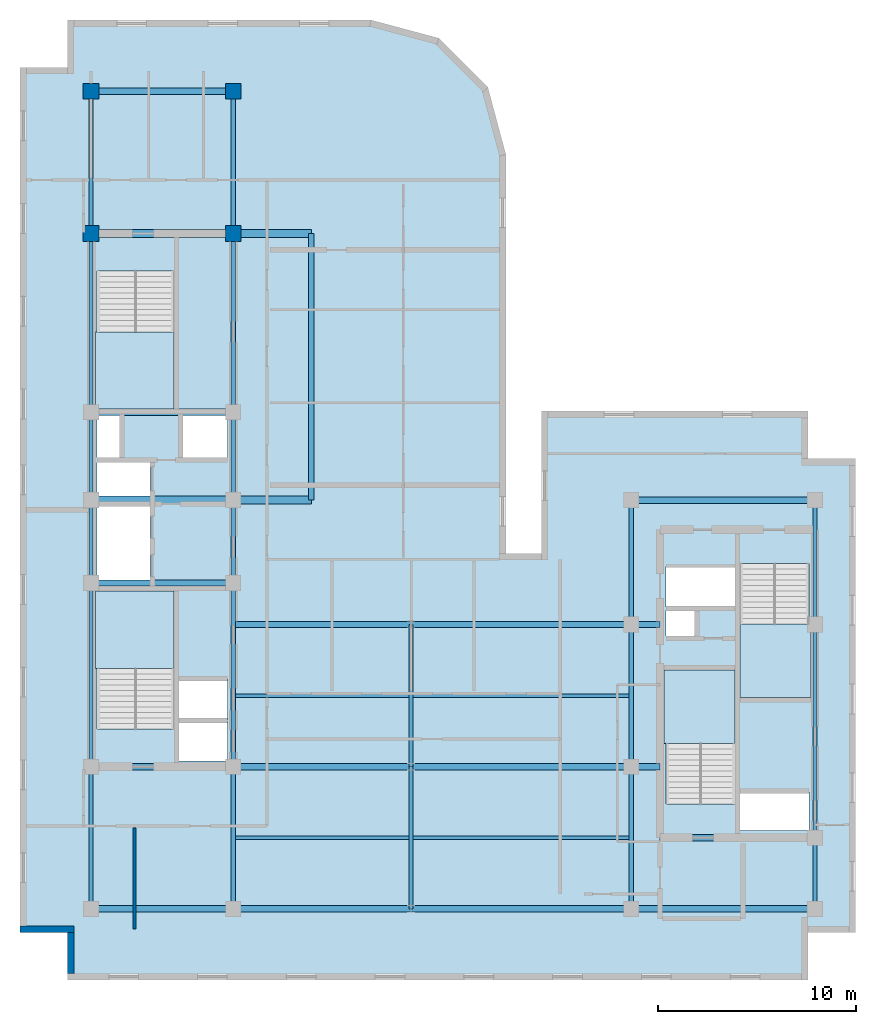
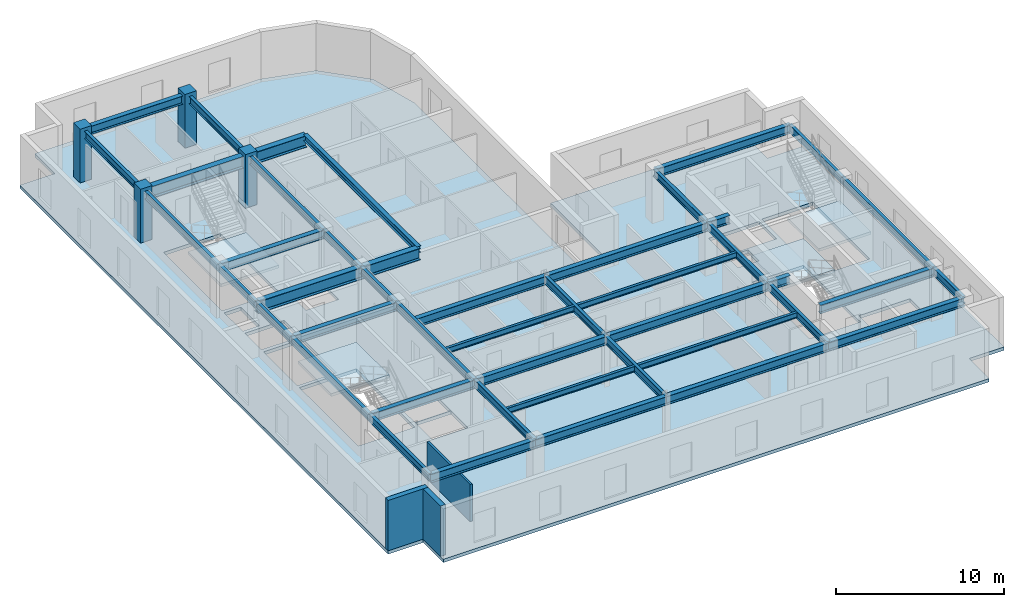
# One storey, part 2 of 10: 43 beams, 5 slabs, 4 columns, 3 walls, 4 elements without a shape of their own.
"""IFC4 building model written with IfcOpenShell, lengths in metres."""

from ifc_helpers import new_model, entity, si_unit, converted_unit, direction, frame, origin_with_axes, origin_2d_with_axis, place, context, subcontext, project, spatial, polyline, rectangle, i_section, outline, extrude, material, layer, layer_set, material_profile, profile_set, type_object, element, aggregate, save


model = new_model("IFC4")

# Units and contexts
model_context = context("Model", 3, precision=1e-05, world=origin_with_axes(), true_north=direction((0.0, 1.0)))
body_context = subcontext(model_context, "Body", "Model", "MODEL_VIEW")
ifc_project = project(units=[si_unit("LENGTHUNIT", "METRE"), si_unit("AREAUNIT", "SQUARE_METRE"), si_unit("VOLUMEUNIT", "CUBIC_METRE"), converted_unit("PLANEANGLEUNIT", "DEGREE", entity("IfcPlaneAngleMeasure", 0.017453292519943295), si_unit("PLANEANGLEUNIT", "RADIAN"), dimensions=[0, 0, 0, 0, 0, 0, 0]), si_unit("MASSUNIT", "GRAM", prefix="KILO"), si_unit("THERMODYNAMICTEMPERATUREUNIT", "KELVIN")], contexts=[model_context])

# Site, building, storey
site_placement = place(None, origin_with_axes())
site = spatial("IfcSite", under=ifc_project, at=site_placement, CompositionType="ELEMENT")
building_placement = place(site_placement, origin_with_axes())
building = spatial("IfcBuilding", under=site, at=building_placement, Name="Varnlund Millrace Tower", CompositionType="ELEMENT")
storey_placement = place(building_placement, frame((0.0, 0.0, 264.6), z_axis=(0.0, 0.0, 1.0), x_axis=(1.0, 0.0, 0.0)))
storey = spatial("IfcBuildingStorey", under=building, at=storey_placement, Name="L65", CompositionType="ELEMENT", Elevation=264.6)

# Columns
ifc_material_1 = material(Name="Concrete C60/75", Category="concrete")
ifc_material_profile_1 = material_profile(ifc_material_1, rectangle(XDim=0.8, YDim=0.8, at=origin_2d_with_axis()), Name="Concrete C60/75")
ifc_profile_set_1 = profile_set([ifc_material_profile_1], Name="Concrete C60/75")
column_type = type_object("IfcColumnType", Name="Type-Col-RC800-C60", PredefinedType="COLUMN", material=ifc_profile_set_1)
for number, where, z_axis, x_axis, name in (
    (1, (11.4, 37.8, 0.0), (0.0, 0.0, 1.0), (1.0, 0.0, 0.0), "Type-Col-RC800-C60"),
    (2, (11.4, 45.0, 0.0), (0.0, 0.0, 1.0), (1.0, 0.0, 0.0), "Type-Col-RC800-C60"),
    (3, (18.6, 37.8, 0.0), (0.0, 0.0, 1.0), (1.0, 0.0, 0.0), "Type-Col-RC800-C60"),
    (4, (18.6, 45.0, 0.0), (0.0, 0.0, 1.0), (1.0, 0.0, 0.0), "Type-Col-RC800-C60"),
):
    element("IfcColumn", number, at=place(storey_placement, frame(where, z_axis=z_axis, x_axis=x_axis)), inside=storey, type_object=column_type, Name=name, PredefinedType="COLUMN", context=body_context, shape_type="SweptSolid", body=[
        extrude(rectangle(XDim=0.8, YDim=0.8, at=origin_2d_with_axis()), origin_with_axes(), (0.0, 0.0, 1.0), 3.9),
    ])

# Beams
ifc_material_2 = material(Name="Steel ASTM A992 Grade 50", Category="steel")
ifc_material_profile_2 = material_profile(ifc_material_2, i_section(OverallWidth=0.28, OverallDepth=0.463, WebThickness=0.0108, FlangeThickness=0.0173, FilletRadius=0.015, at=origin_2d_with_axis()), Name="Steel ASTM A992 Grade 50")
ifc_profile_set_2 = profile_set([ifc_material_profile_2], Name="Steel ASTM A992 Grade 50")
beam_type_1 = type_object("IfcBeamType", Name="Type-Beam-W18X76", PredefinedType="BEAM", material=ifc_profile_set_2)
beam_1_placement = place(storey_placement, frame((22.55, 24.3, 3.4285), z_axis=(0.0, 1.0, 0.0), x_axis=(-1.0, 0.0, 0.0)))
element("IfcBeam", 5, at=beam_1_placement, inside=storey, type_object=beam_type_1, Name="Type-Beam-W18X76", PredefinedType="BEAM", context=body_context, shape_type="SweptSolid", body=[
    extrude(i_section(OverallWidth=0.28, OverallDepth=0.463, WebThickness=0.0108, FlangeThickness=0.0173, FilletRadius=0.015, at=origin_2d_with_axis()), origin_with_axes(), (0.0, 0.0, 1.0), 13.5),
])
ifc_material_profile_3 = material_profile(ifc_material_2, i_section(OverallWidth=0.214, OverallDepth=0.549, WebThickness=0.0147, FlangeThickness=0.0236, FilletRadius=0.015, at=origin_2d_with_axis()), Name="Steel ASTM A992 Grade 50")
ifc_profile_set_3 = profile_set([ifc_material_profile_3], Name="Steel ASTM A992 Grade 50")
beam_type_2 = type_object("IfcBeamType", Name="Type-Beam-W21X93", PredefinedType="BEAM", material=ifc_profile_set_3)
beam_2_placement = place(storey_placement, frame((11.4, 3.6, 3.3855), z_axis=(0.0, 1.0, 0.0), x_axis=(-1.0, 0.0, 0.0)))
element("IfcBeam", 6, at=beam_2_placement, inside=storey, type_object=beam_type_2, Name="Type-Beam-W21X93", PredefinedType="BEAM", context=body_context, shape_type="SweptSolid", body=[
    extrude(i_section(OverallWidth=0.214, OverallDepth=0.549, WebThickness=0.0147, FlangeThickness=0.0236, FilletRadius=0.015, at=origin_2d_with_axis()), origin_with_axes(), (0.0, 0.0, 1.0), 7.2),
])
beam_3_placement = place(storey_placement, frame((11.4, 10.8, 3.3855), z_axis=(0.0, 1.0, 0.0), x_axis=(-1.0, 0.0, 0.0)))
element("IfcBeam", 7, at=beam_3_placement, inside=storey, type_object=beam_type_2, Name="Type-Beam-W21X93", PredefinedType="BEAM", context=body_context, shape_type="SweptSolid", body=[
    extrude(i_section(OverallWidth=0.214, OverallDepth=0.549, WebThickness=0.0147, FlangeThickness=0.0236, FilletRadius=0.015, at=origin_2d_with_axis()), origin_with_axes(), (0.0, 0.0, 1.0), 9.3),
])
beam_4_placement = place(storey_placement, frame((11.4, 20.1, 3.3855), z_axis=(0.0, 1.0, 0.0), x_axis=(-1.0, 0.0, 0.0)))
element("IfcBeam", 8, at=beam_4_placement, inside=storey, type_object=beam_type_2, Name="Type-Beam-W21X93", PredefinedType="BEAM", context=body_context, shape_type="SweptSolid", body=[
    extrude(i_section(OverallWidth=0.214, OverallDepth=0.549, WebThickness=0.0147, FlangeThickness=0.0236, FilletRadius=0.015, at=origin_2d_with_axis()), origin_with_axes(), (0.0, 0.0, 1.0), 4.2),
])
beam_5_placement = place(storey_placement, frame((11.4, 24.3, 3.3855), z_axis=(0.0, 1.0, 0.0), x_axis=(-1.0, 0.0, 0.0)))
element("IfcBeam", 9, at=beam_5_placement, inside=storey, type_object=beam_type_2, Name="Type-Beam-W21X93", PredefinedType="BEAM", context=body_context, shape_type="SweptSolid", body=[
    extrude(i_section(OverallWidth=0.214, OverallDepth=0.549, WebThickness=0.0147, FlangeThickness=0.0236, FilletRadius=0.015, at=origin_2d_with_axis()), origin_with_axes(), (0.0, 0.0, 1.0), 4.45),
])
beam_6_placement = place(storey_placement, frame((11.4, 28.75, 3.3855), z_axis=(0.0, 1.0, 0.0), x_axis=(-1.0, 0.0, 0.0)))
element("IfcBeam", 10, at=beam_6_placement, inside=storey, type_object=beam_type_2, Name="Type-Beam-W21X93", PredefinedType="BEAM", context=body_context, shape_type="SweptSolid", body=[
    extrude(i_section(OverallWidth=0.214, OverallDepth=0.549, WebThickness=0.0147, FlangeThickness=0.0236, FilletRadius=0.015, at=origin_2d_with_axis()), origin_with_axes(), (0.0, 0.0, 1.0), 9.05),
])
for number, where, z_axis, x_axis, name in (
    (11, (11.4, 37.8, 3.3855), (0.0, 1.0, 0.0), (-1.0, 0.0, 0.0), "Type-Beam-W21X93"),
    (12, (18.6, 3.6, 3.3855), (0.0, 1.0, 0.0), (-1.0, 0.0, 0.0), "Type-Beam-W21X93"),
):
    element("IfcBeam", number, at=place(storey_placement, frame(where, z_axis=z_axis, x_axis=x_axis)), inside=storey, type_object=beam_type_2, Name=name, PredefinedType="BEAM", context=body_context, shape_type="SweptSolid", body=[
        extrude(i_section(OverallWidth=0.214, OverallDepth=0.549, WebThickness=0.0147, FlangeThickness=0.0236, FilletRadius=0.015, at=origin_2d_with_axis()), origin_with_axes(), (0.0, 0.0, 1.0), 7.2),
    ])
beam_7_placement = place(storey_placement, frame((18.6, 10.8, 3.3855), z_axis=(0.0, 1.0, 0.0), x_axis=(-1.0, 0.0, 0.0)))
element("IfcBeam", 13, at=beam_7_placement, inside=storey, type_object=beam_type_2, Name="Type-Beam-W21X93", PredefinedType="BEAM", context=body_context, shape_type="SweptSolid", body=[
    extrude(i_section(OverallWidth=0.214, OverallDepth=0.549, WebThickness=0.0147, FlangeThickness=0.0236, FilletRadius=0.015, at=origin_2d_with_axis()), origin_with_axes(), (0.0, 0.0, 1.0), 9.3),
])
beam_8_placement = place(storey_placement, frame((18.6, 20.1, 3.3855), z_axis=(0.0, 1.0, 0.0), x_axis=(-1.0, 0.0, 0.0)))
element("IfcBeam", 14, at=beam_8_placement, inside=storey, type_object=beam_type_2, Name="Type-Beam-W21X93", PredefinedType="BEAM", context=body_context, shape_type="SweptSolid", body=[
    extrude(i_section(OverallWidth=0.214, OverallDepth=0.549, WebThickness=0.0147, FlangeThickness=0.0236, FilletRadius=0.015, at=origin_2d_with_axis()), origin_with_axes(), (0.0, 0.0, 1.0), 4.2),
])
beam_9_placement = place(storey_placement, frame((18.6, 24.3, 3.3855), z_axis=(0.0, 1.0, 0.0), x_axis=(-1.0, 0.0, 0.0)))
element("IfcBeam", 15, at=beam_9_placement, inside=storey, type_object=beam_type_2, Name="Type-Beam-W21X93", PredefinedType="BEAM", context=body_context, shape_type="SweptSolid", body=[
    extrude(i_section(OverallWidth=0.214, OverallDepth=0.549, WebThickness=0.0147, FlangeThickness=0.0236, FilletRadius=0.015, at=origin_2d_with_axis()), origin_with_axes(), (0.0, 0.0, 1.0), 4.45),
])
beam_10_placement = place(storey_placement, frame((18.6, 28.75, 3.3855), z_axis=(0.0, 1.0, 0.0), x_axis=(-1.0, 0.0, 0.0)))
element("IfcBeam", 16, at=beam_10_placement, inside=storey, type_object=beam_type_2, Name="Type-Beam-W21X93", PredefinedType="BEAM", context=body_context, shape_type="SweptSolid", body=[
    extrude(i_section(OverallWidth=0.214, OverallDepth=0.549, WebThickness=0.0147, FlangeThickness=0.0236, FilletRadius=0.015, at=origin_2d_with_axis()), origin_with_axes(), (0.0, 0.0, 1.0), 9.05),
])
for number, where, z_axis, x_axis, name in (
    (17, (18.6, 37.8, 3.3855), (0.0, 1.0, 0.0), (-1.0, 0.0, 0.0), "Type-Beam-W21X93"),
    (18, (27.6, 3.6, 3.3855), (0.0, 1.0, 0.0), (-1.0, 0.0, 0.0), "Type-Beam-W21X93"),
    (19, (27.6, 10.8, 3.3855), (0.0, 1.0, 0.0), (-1.0, 0.0, 0.0), "Type-Beam-W21X93"),
    (20, (38.75, 3.6, 3.3855), (0.0, 1.0, 0.0), (-1.0, 0.0, 0.0), "Type-Beam-W21X93"),
    (21, (38.75, 10.8, 3.3855), (0.0, 1.0, 0.0), (-1.0, 0.0, 0.0), "Type-Beam-W21X93"),
):
    element("IfcBeam", number, at=place(storey_placement, frame(where, z_axis=z_axis, x_axis=x_axis)), inside=storey, type_object=beam_type_2, Name=name, PredefinedType="BEAM", context=body_context, shape_type="SweptSolid", body=[
        extrude(i_section(OverallWidth=0.214, OverallDepth=0.549, WebThickness=0.0147, FlangeThickness=0.0236, FilletRadius=0.015, at=origin_2d_with_axis()), origin_with_axes(), (0.0, 0.0, 1.0), 7.2),
    ])
beam_11_placement = place(storey_placement, frame((38.75, 18.0, 3.3855), z_axis=(0.0, 1.0, 0.0), x_axis=(-1.0, 0.0, 0.0)))
element("IfcBeam", 22, at=beam_11_placement, inside=storey, type_object=beam_type_2, Name="Type-Beam-W21X93", PredefinedType="BEAM", context=body_context, shape_type="SweptSolid", body=[
    extrude(i_section(OverallWidth=0.214, OverallDepth=0.549, WebThickness=0.0147, FlangeThickness=0.0236, FilletRadius=0.015, at=origin_2d_with_axis()), origin_with_axes(), (0.0, 0.0, 1.0), 6.3),
])
beam_12_placement = place(storey_placement, frame((48.05, 3.6, 3.3855), z_axis=(0.0, 1.0, 0.0), x_axis=(-1.0, 0.0, 0.0)))
element("IfcBeam", 23, at=beam_12_placement, inside=storey, type_object=beam_type_2, Name="Type-Beam-W21X93", PredefinedType="BEAM", context=body_context, shape_type="SweptSolid", body=[
    extrude(i_section(OverallWidth=0.214, OverallDepth=0.549, WebThickness=0.0147, FlangeThickness=0.0236, FilletRadius=0.015, at=origin_2d_with_axis()), origin_with_axes(), (0.0, 0.0, 1.0), 3.6),
])
beam_13_placement = place(storey_placement, frame((48.05, 7.2, 3.3855), z_axis=(0.0, 1.0, 0.0), x_axis=(-1.0, 0.0, 0.0)))
element("IfcBeam", 24, at=beam_13_placement, inside=storey, type_object=beam_type_2, Name="Type-Beam-W21X93", PredefinedType="BEAM", context=body_context, shape_type="SweptSolid", body=[
    extrude(i_section(OverallWidth=0.214, OverallDepth=0.549, WebThickness=0.0147, FlangeThickness=0.0236, FilletRadius=0.015, at=origin_2d_with_axis()), origin_with_axes(), (0.0, 0.0, 1.0), 10.8),
])
beam_14_placement = place(storey_placement, frame((48.05, 18.0, 3.3855), z_axis=(0.0, 1.0, 0.0), x_axis=(-1.0, 0.0, 0.0)))
element("IfcBeam", 25, at=beam_14_placement, inside=storey, type_object=beam_type_2, Name="Type-Beam-W21X93", PredefinedType="BEAM", context=body_context, shape_type="SweptSolid", body=[
    extrude(i_section(OverallWidth=0.214, OverallDepth=0.549, WebThickness=0.0147, FlangeThickness=0.0236, FilletRadius=0.015, at=origin_2d_with_axis()), origin_with_axes(), (0.0, 0.0, 1.0), 6.3),
])
ifc_material_profile_4 = material_profile(ifc_material_2, i_section(OverallWidth=0.324, OverallDepth=0.611, WebThickness=0.0127, FlangeThickness=0.0191, FilletRadius=0.016, at=origin_2d_with_axis()), Name="Steel ASTM A992 Grade 50")
ifc_profile_set_4 = profile_set([ifc_material_profile_4], Name="Steel ASTM A992 Grade 50")
beam_type_3 = type_object("IfcBeamType", Name="Type-Girder-W24X104", PredefinedType="USERDEFINED", material=ifc_profile_set_4)
beam_15_placement = place(storey_placement, frame((11.4, 3.6, 3.3545), z_axis=(1.0, 0.0, 0.0), x_axis=(0.0, 1.0, 0.0)))
element("IfcBeam", 26, at=beam_15_placement, inside=storey, type_object=beam_type_3, Name="Type-Girder-W24X104", ObjectType="GIRDER", PredefinedType="USERDEFINED", context=body_context, shape_type="SweptSolid", body=[
    extrude(i_section(OverallWidth=0.324, OverallDepth=0.611, WebThickness=0.0127, FlangeThickness=0.0191, FilletRadius=0.016, at=origin_2d_with_axis()), origin_with_axes(), (0.0, 0.0, 1.0), 7.2),
])
beam_16_placement = place(storey_placement, frame((18.6, 3.6, 3.3545), z_axis=(1.0, 0.0, 0.0), x_axis=(0.0, 1.0, 0.0)))
element("IfcBeam", 27, at=beam_16_placement, inside=storey, type_object=beam_type_3, Name="Type-Girder-W24X104", ObjectType="GIRDER", PredefinedType="USERDEFINED", context=body_context, shape_type="SweptSolid", body=[
    extrude(i_section(OverallWidth=0.324, OverallDepth=0.611, WebThickness=0.0127, FlangeThickness=0.0191, FilletRadius=0.016, at=origin_2d_with_axis()), origin_with_axes(), (0.0, 0.0, 1.0), 9.0),
])
beam_17_placement = place(storey_placement, frame((27.6, 3.6, 3.3545), z_axis=(1.0, 0.0, 0.0), x_axis=(0.0, 1.0, 0.0)))
element("IfcBeam", 28, at=beam_17_placement, inside=storey, type_object=beam_type_3, Name="Type-Girder-W24X104", ObjectType="GIRDER", PredefinedType="USERDEFINED", context=body_context, shape_type="SweptSolid", body=[
    extrude(i_section(OverallWidth=0.324, OverallDepth=0.611, WebThickness=0.0127, FlangeThickness=0.0191, FilletRadius=0.016, at=origin_2d_with_axis()), origin_with_axes(), (0.0, 0.0, 1.0), 11.15),
])
beam_18_placement = place(storey_placement, frame((38.75, 3.6, 3.3545), z_axis=(1.0, 0.0, 0.0), x_axis=(0.0, 1.0, 0.0)))
element("IfcBeam", 29, at=beam_18_placement, inside=storey, type_object=beam_type_3, Name="Type-Girder-W24X104", ObjectType="GIRDER", PredefinedType="USERDEFINED", context=body_context, shape_type="SweptSolid", body=[
    extrude(i_section(OverallWidth=0.324, OverallDepth=0.611, WebThickness=0.0127, FlangeThickness=0.0191, FilletRadius=0.016, at=origin_2d_with_axis()), origin_with_axes(), (0.0, 0.0, 1.0), 9.3),
])
beam_19_placement = place(storey_placement, frame((40.2, 7.2, 3.3545), z_axis=(1.0, 0.0, 0.0), x_axis=(0.0, 1.0, 0.0)))
element("IfcBeam", 30, at=beam_19_placement, inside=storey, type_object=beam_type_3, Name="Type-Girder-W24X104", ObjectType="GIRDER", PredefinedType="USERDEFINED", context=body_context, shape_type="SweptSolid", body=[
    extrude(i_section(OverallWidth=0.324, OverallDepth=0.611, WebThickness=0.0127, FlangeThickness=0.0191, FilletRadius=0.016, at=origin_2d_with_axis()), origin_with_axes(), (0.0, 0.0, 1.0), 7.85),
])
beam_20_placement = place(storey_placement, frame((11.4, 10.8, 3.3545), z_axis=(1.0, 0.0, 0.0), x_axis=(0.0, 1.0, 0.0)))
element("IfcBeam", 31, at=beam_20_placement, inside=storey, type_object=beam_type_3, Name="Type-Girder-W24X104", ObjectType="GIRDER", PredefinedType="USERDEFINED", context=body_context, shape_type="SweptSolid", body=[
    extrude(i_section(OverallWidth=0.324, OverallDepth=0.611, WebThickness=0.0127, FlangeThickness=0.0191, FilletRadius=0.016, at=origin_2d_with_axis()), origin_with_axes(), (0.0, 0.0, 1.0), 7.2),
])
beam_21_placement = place(storey_placement, frame((18.6, 10.8, 3.3545), z_axis=(1.0, 0.0, 0.0), x_axis=(0.0, 1.0, 0.0)))
element("IfcBeam", 32, at=beam_21_placement, inside=storey, type_object=beam_type_3, Name="Type-Girder-W24X104", ObjectType="GIRDER", PredefinedType="USERDEFINED", context=body_context, shape_type="SweptSolid", body=[
    extrude(i_section(OverallWidth=0.324, OverallDepth=0.611, WebThickness=0.0127, FlangeThickness=0.0191, FilletRadius=0.016, at=origin_2d_with_axis()), origin_with_axes(), (0.0, 0.0, 1.0), 9.0),
])
beam_22_placement = place(storey_placement, frame((27.6, 10.8, 3.3545), z_axis=(1.0, 0.0, 0.0), x_axis=(0.0, 1.0, 0.0)))
element("IfcBeam", 33, at=beam_22_placement, inside=storey, type_object=beam_type_3, Name="Type-Girder-W24X104", ObjectType="GIRDER", PredefinedType="USERDEFINED", context=body_context, shape_type="SweptSolid", body=[
    extrude(i_section(OverallWidth=0.324, OverallDepth=0.611, WebThickness=0.0127, FlangeThickness=0.0191, FilletRadius=0.016, at=origin_2d_with_axis()), origin_with_axes(), (0.0, 0.0, 1.0), 11.15),
])
beam_23_placement = place(storey_placement, frame((38.75, 10.8, 3.3545), z_axis=(1.0, 0.0, 0.0), x_axis=(0.0, 1.0, 0.0)))
element("IfcBeam", 34, at=beam_23_placement, inside=storey, type_object=beam_type_3, Name="Type-Girder-W24X104", ObjectType="GIRDER", PredefinedType="USERDEFINED", context=body_context, shape_type="SweptSolid", body=[
    extrude(i_section(OverallWidth=0.324, OverallDepth=0.611, WebThickness=0.0127, FlangeThickness=0.0191, FilletRadius=0.016, at=origin_2d_with_axis()), origin_with_axes(), (0.0, 0.0, 1.0), 1.45),
])
beam_24_placement = place(storey_placement, frame((18.6, 18.0, 3.3545), z_axis=(1.0, 0.0, 0.0), x_axis=(0.0, 1.0, 0.0)))
element("IfcBeam", 35, at=beam_24_placement, inside=storey, type_object=beam_type_3, Name="Type-Girder-W24X104", ObjectType="GIRDER", PredefinedType="USERDEFINED", context=body_context, shape_type="SweptSolid", body=[
    extrude(i_section(OverallWidth=0.324, OverallDepth=0.611, WebThickness=0.0127, FlangeThickness=0.0191, FilletRadius=0.016, at=origin_2d_with_axis()), origin_with_axes(), (0.0, 0.0, 1.0), 9.0),
])
beam_25_placement = place(storey_placement, frame((27.6, 18.0, 3.3545), z_axis=(1.0, 0.0, 0.0), x_axis=(0.0, 1.0, 0.0)))
element("IfcBeam", 36, at=beam_25_placement, inside=storey, type_object=beam_type_3, Name="Type-Girder-W24X104", ObjectType="GIRDER", PredefinedType="USERDEFINED", context=body_context, shape_type="SweptSolid", body=[
    extrude(i_section(OverallWidth=0.324, OverallDepth=0.611, WebThickness=0.0127, FlangeThickness=0.0191, FilletRadius=0.016, at=origin_2d_with_axis()), origin_with_axes(), (0.0, 0.0, 1.0), 11.15),
])
beam_26_placement = place(storey_placement, frame((38.75, 18.0, 3.3545), z_axis=(1.0, 0.0, 0.0), x_axis=(0.0, 1.0, 0.0)))
element("IfcBeam", 37, at=beam_26_placement, inside=storey, type_object=beam_type_3, Name="Type-Girder-W24X104", ObjectType="GIRDER", PredefinedType="USERDEFINED", context=body_context, shape_type="SweptSolid", body=[
    extrude(i_section(OverallWidth=0.324, OverallDepth=0.611, WebThickness=0.0127, FlangeThickness=0.0191, FilletRadius=0.016, at=origin_2d_with_axis()), origin_with_axes(), (0.0, 0.0, 1.0), 1.45),
])
beam_27_placement = place(storey_placement, frame((11.4, 20.1, 3.3545), z_axis=(1.0, 0.0, 0.0), x_axis=(0.0, 1.0, 0.0)))
element("IfcBeam", 38, at=beam_27_placement, inside=storey, type_object=beam_type_3, Name="Type-Girder-W24X104", ObjectType="GIRDER", PredefinedType="USERDEFINED", context=body_context, shape_type="SweptSolid", body=[
    extrude(i_section(OverallWidth=0.324, OverallDepth=0.611, WebThickness=0.0127, FlangeThickness=0.0191, FilletRadius=0.016, at=origin_2d_with_axis()), origin_with_axes(), (0.0, 0.0, 1.0), 7.2),
])
beam_28_placement = place(storey_placement, frame((38.75, 24.3, 3.3545), z_axis=(1.0, 0.0, 0.0), x_axis=(0.0, 1.0, 0.0)))
element("IfcBeam", 39, at=beam_28_placement, inside=storey, type_object=beam_type_3, Name="Type-Girder-W24X104", ObjectType="GIRDER", PredefinedType="USERDEFINED", context=body_context, shape_type="SweptSolid", body=[
    extrude(i_section(OverallWidth=0.324, OverallDepth=0.611, WebThickness=0.0127, FlangeThickness=0.0191, FilletRadius=0.016, at=origin_2d_with_axis()), origin_with_axes(), (0.0, 0.0, 1.0), 9.3),
])
for number, where, z_axis, x_axis, name in (
    (40, (11.4, 28.75, 3.3545), (1.0, 0.0, 0.0), (0.0, 1.0, 0.0), "Type-Girder-W24X104"),
    (41, (11.4, 45.0, 3.3545), (1.0, 0.0, 0.0), (0.0, 1.0, 0.0), "Type-Girder-W24X104"),
):
    element("IfcBeam", number, at=place(storey_placement, frame(where, z_axis=z_axis, x_axis=x_axis)), inside=storey, type_object=beam_type_3, Name=name, ObjectType="GIRDER", PredefinedType="USERDEFINED", context=body_context, shape_type="SweptSolid", body=[
        extrude(i_section(OverallWidth=0.324, OverallDepth=0.611, WebThickness=0.0127, FlangeThickness=0.0191, FilletRadius=0.016, at=origin_2d_with_axis()), origin_with_axes(), (0.0, 0.0, 1.0), 7.2),
    ])
ifc_material_profile_5 = material_profile(ifc_material_2, i_section(OverallWidth=0.399, OverallDepth=0.855, WebThickness=0.0182, FlangeThickness=0.0292, FilletRadius=0.022, at=origin_2d_with_axis()), Name="Steel ASTM A992 Grade 50")
ifc_profile_set_5 = profile_set([ifc_material_profile_5], Name="Steel ASTM A992 Grade 50")
beam_type_4 = type_object("IfcBeamType", Name="Type-Girder-W33X201", PredefinedType="USERDEFINED", material=ifc_profile_set_5)
for number, where, z_axis, x_axis, name in (
    (42, (11.4, 24.3, 3.2325), (1.0, 0.0, 0.0), (0.0, 1.0, 0.0), "Type-Girder-W33X201"),
    (43, (11.4, 37.8, 3.2325), (1.0, 0.0, 0.0), (0.0, 1.0, 0.0), "Type-Girder-W33X201"),
):
    element("IfcBeam", number, at=place(storey_placement, frame(where, z_axis=z_axis, x_axis=x_axis)), inside=storey, type_object=beam_type_4, Name=name, ObjectType="GIRDER", PredefinedType="USERDEFINED", context=body_context, shape_type="SweptSolid", body=[
        extrude(i_section(OverallWidth=0.399, OverallDepth=0.855, WebThickness=0.0182, FlangeThickness=0.0292, FilletRadius=0.022, at=origin_2d_with_axis()), origin_with_axes(), (0.0, 0.0, 1.0), 11.15),
    ])
ifc_material_profile_6 = material_profile(ifc_material_2, i_section(OverallWidth=0.178, OverallDepth=0.403, WebThickness=0.0075, FlangeThickness=0.0109, FilletRadius=0.011, at=origin_2d_with_axis()), Name="Steel ASTM A992 Grade 50")
ifc_profile_set_6 = profile_set([ifc_material_profile_6], Name="Steel ASTM A992 Grade 50")
beam_type_5 = type_object("IfcBeamType", Name="Type-Joist-W16X36", PredefinedType="JOIST", material=ifc_profile_set_6)
for number, where, z_axis, x_axis, name in (
    (44, (18.707, 7.2, 3.4585), (1.0, 0.0, 0.0), (0.0, 1.0, 0.0), "Type-Joist-W16X36"),
    (45, (18.707, 14.4, 3.4585), (1.0, 0.0, 0.0), (0.0, 1.0, 0.0), "Type-Joist-W16X36"),
):
    element("IfcBeam", number, at=place(storey_placement, frame(where, z_axis=z_axis, x_axis=x_axis)), inside=storey, type_object=beam_type_5, Name=name, PredefinedType="JOIST", context=body_context, shape_type="SweptSolid", body=[
        extrude(i_section(OverallWidth=0.178, OverallDepth=0.403, WebThickness=0.0075, FlangeThickness=0.0109, FilletRadius=0.011, at=origin_2d_with_axis()), origin_with_axes(), (0.0, 0.0, 1.0), 8.786),
    ])
for number, where, z_axis, x_axis, name in (
    (46, (27.707, 7.2, 3.4585), (1.0, 0.0, 0.0), (0.0, 1.0, 0.0), "Type-Joist-W16X36"),
    (47, (27.707, 14.4, 3.4585), (1.0, 0.0, 0.0), (0.0, 1.0, 0.0), "Type-Joist-W16X36"),
):
    element("IfcBeam", number, at=place(storey_placement, frame(where, z_axis=z_axis, x_axis=x_axis)), inside=storey, type_object=beam_type_5, Name=name, PredefinedType="JOIST", context=body_context, shape_type="SweptSolid", body=[
        extrude(i_section(OverallWidth=0.178, OverallDepth=0.403, WebThickness=0.0075, FlangeThickness=0.0109, FilletRadius=0.011, at=origin_2d_with_axis()), origin_with_axes(), (0.0, 0.0, 1.0), 10.936),
    ])

# Slab
ifc_layer_1 = layer(ifc_material_1, 0.24, Name="Concrete C60/75")
ifc_layer_set_1 = layer_set([ifc_layer_1], Name="Concrete C60/75")
slab_type_1 = type_object("IfcSlabType", Name="Type-Deck-Plate-Typical-240", PredefinedType="FLOOR", material=ifc_layer_set_1)
slab_1_placement = place(storey_placement, frame((0.0, 0.0, -0.24), z_axis=(0.0, 0.0, 1.0), x_axis=(1.0, 0.0, 0.0)))
element("IfcSlab", 48, at=slab_1_placement, inside=storey, type_object=slab_type_1, Name="Type-Deck-Plate-Typical-240", PredefinedType="FLOOR", context=body_context, shape_type="SweptSolid", body=[
    extrude(outline(polyline([(32.4, 21.6), (32.4, 41.8), (31.489, 45.2), (29.0, 47.689), (25.6, 48.6), (10.2, 48.6), (10.2, 46.2), (7.8, 46.2), (7.8, 2.4), (10.2, 2.4), (10.2, 0.0), (47.7, 0.0), (47.7, 2.4), (50.1, 2.4), (50.1, 26.4), (47.7, 26.4), (47.7, 28.8), (34.2, 28.8), (34.2, 21.6), (32.4, 21.6)]), holes=[polyline([(18.3, 13.1), (18.3, 11.1), (15.84, 11.1), (15.84, 13.1), (18.3, 13.1)]), polyline([(15.6, 12.715), (11.7, 12.715), (11.7, 19.7), (15.6, 19.7), (15.6, 12.715)]), polyline([(11.7, 19.94), (11.7, 23.98), (14.38, 23.98), (14.38, 19.94), (11.7, 19.94)]), polyline([(14.38, 24.24), (11.7, 24.24), (11.7, 26.2), (14.38, 26.2), (14.38, 24.24)]), polyline([(12.84, 26.46), (11.7, 26.46), (11.7, 28.65), (12.84, 28.65), (12.84, 26.46)]), polyline([(15.6, 28.9), (11.7, 28.9), (11.7, 35.885), (15.6, 35.885), (15.6, 28.9)]), polyline([(47.75, 9.52), (47.75, 7.58), (44.25, 7.58), (44.25, 9.52), (47.75, 9.52)]), polyline([(44.0, 8.915), (40.5, 8.915), (40.5, 15.7), (44.0, 15.7), (44.0, 8.915)]), polyline([(18.3, 13.16), (15.84, 13.16), (15.84, 15.24), (18.3, 15.24), (18.3, 13.16)]), polyline([(47.75, 14.3), (44.25, 14.3), (44.25, 21.085), (47.75, 21.085), (47.75, 14.3)]), polyline([(41.95, 17.42), (40.5, 17.42), (40.5, 18.72), (41.95, 18.72), (41.95, 17.42)]), polyline([(44.0, 18.88), (40.5, 18.88), (40.5, 20.94), (44.0, 20.94), (44.0, 18.88)]), polyline([(18.3, 26.46), (16.04, 26.46), (16.04, 28.65), (18.3, 28.65), (18.3, 26.46)])]), origin_with_axes(), (0.0, 0.0, 1.0), 0.24),
])

# Stair, slab
ifc_material_3 = material(Name="Concrete C50/60", Category="concrete")
stair_type_1 = type_object("IfcStairType", Name="Type-Stair-Dogleg-185-390", PredefinedType="HALF_TURN_STAIR", material=ifc_material_3)
stair_1_placement = place(storey_placement, origin_with_axes())
stair_1 = element("IfcStair", 49, at=stair_1_placement, inside=storey, type_object=stair_type_1, Name="Type-Stair-Dogleg-185-390", PredefinedType="HALF_TURN_STAIR")
ifc_layer_2 = layer(ifc_material_3, 0.2, Name="Concrete C50/60")
ifc_layer_set_2 = layer_set([ifc_layer_2], Name="Concrete C50/60")
slab_type_2 = type_object("IfcSlabType", Name="Type-StairLanding-200", PredefinedType="LANDING", material=ifc_layer_set_2)
slab_2_placement = place(storey_placement, frame((0.0, 0.0, 1.75), z_axis=(0.0, 0.0, 1.0), x_axis=(1.0, 0.0, 0.0)))
slab_2 = element("IfcSlab", 50, at=slab_2_placement, type_object=slab_type_2, Name="ST-A1 landing 1", PredefinedType="LANDING", context=body_context, shape_type="SweptSolid", body=[
    extrude(outline(polyline([(15.6, 15.78), (15.6, 19.7), (11.61, 19.7), (11.61, 15.78), (15.6, 15.78)])), origin_with_axes(), (0.0, 0.0, 1.0), 0.2),
])
aggregate(stair_1, [slab_2])

stair_2_placement = place(storey_placement, origin_with_axes())
stair_2 = element("IfcStair", 51, at=stair_2_placement, inside=storey, type_object=stair_type_1, Name="Type-Stair-Dogleg-185-390", PredefinedType="HALF_TURN_STAIR")
slab_3_placement = place(storey_placement, frame((0.0, 0.0, 1.75), z_axis=(0.0, 0.0, 1.0), x_axis=(1.0, 0.0, 0.0)))
slab_3 = element("IfcSlab", 52, at=slab_3_placement, type_object=slab_type_2, Name="ST-A2 landing 1", PredefinedType="LANDING", context=body_context, shape_type="SweptSolid", body=[
    extrude(outline(polyline([(11.61, 32.82), (11.61, 28.9), (15.6, 28.9), (15.6, 32.82), (11.61, 32.82)])), origin_with_axes(), (0.0, 0.0, 1.0), 0.2),
])
aggregate(stair_2, [slab_3])

stair_type_2 = type_object("IfcStairType", Name="Type-Stair-Dogleg-165-390", PredefinedType="HALF_TURN_STAIR", material=ifc_material_3)
stair_3_placement = place(storey_placement, origin_with_axes())
stair_3 = element("IfcStair", 53, at=stair_3_placement, inside=storey, type_object=stair_type_2, Name="Type-Stair-Dogleg-165-390", PredefinedType="HALF_TURN_STAIR")
slab_4_placement = place(storey_placement, frame((0.0, 0.0, 1.75), z_axis=(0.0, 0.0, 1.0), x_axis=(1.0, 0.0, 0.0)))
slab_4 = element("IfcSlab", 54, at=slab_4_placement, type_object=slab_type_2, Name="ST-B1 landing 1", PredefinedType="LANDING", context=body_context, shape_type="SweptSolid", body=[
    extrude(outline(polyline([(44.0, 11.98), (44.0, 15.7), (40.41, 15.7), (40.41, 11.98), (44.0, 11.98)])), origin_with_axes(), (0.0, 0.0, 1.0), 0.2),
])
aggregate(stair_3, [slab_4])

stair_4_placement = place(storey_placement, origin_with_axes())
stair_4 = element("IfcStair", 55, at=stair_4_placement, inside=storey, type_object=stair_type_2, Name="Type-Stair-Dogleg-165-390", PredefinedType="HALF_TURN_STAIR")
slab_5_placement = place(storey_placement, frame((0.0, 0.0, 1.75), z_axis=(0.0, 0.0, 1.0), x_axis=(1.0, 0.0, 0.0)))
slab_5 = element("IfcSlab", 56, at=slab_5_placement, type_object=slab_type_2, Name="ST-B2 landing 1", PredefinedType="LANDING", context=body_context, shape_type="SweptSolid", body=[
    extrude(outline(polyline([(44.25, 18.02), (44.25, 14.3), (47.84, 14.3), (47.84, 18.02), (44.25, 18.02)])), origin_with_axes(), (0.0, 0.0, 1.0), 0.2),
])
aggregate(stair_4, [slab_5])

# Walls
ifc_material_4 = material(Name="Precast concrete C50/60", Category="concrete")
ifc_layer_3 = layer(ifc_material_4, 0.34, Name="Precast concrete C50/60")
ifc_layer_set_3 = layer_set([ifc_layer_3], Name="Precast concrete C50/60")
wall_type_1 = type_object("IfcWallType", Name="Type-ExtWall-Precast-Upper-340", PredefinedType="SOLIDWALL", material=ifc_layer_set_3)
wall_1_placement = place(storey_placement, frame((10.37, 0.34, 0.0), z_axis=(0.0, 0.0, 1.0), x_axis=(0.0, 1.0, 0.0)))
element("IfcWall", 57, at=wall_1_placement, inside=storey, type_object=wall_type_1, Name="Type-ExtWall-Precast-Upper-340", PredefinedType="SOLIDWALL", context=body_context, shape_type="SweptSolid", body=[
    extrude(outline(polyline([(0.0, -0.17), (2.06, -0.17), (2.06, 0.17), (0.0, 0.17), (0.0, -0.17)])), origin_with_axes(), (0.0, 0.0, 1.0), 3.66),
])
wall_2_placement = place(storey_placement, frame((10.54, 2.57, 0.0), z_axis=(0.0, 0.0, 1.0), x_axis=(-1.0, 0.0, 0.0)))
element("IfcWall", 58, at=wall_2_placement, inside=storey, type_object=wall_type_1, Name="Type-ExtWall-Precast-Upper-340", PredefinedType="SOLIDWALL", context=body_context, shape_type="SweptSolid", body=[
    extrude(outline(polyline([(0.0, -0.17), (2.74, -0.17), (2.74, 0.17), (0.0, 0.17), (0.0, -0.17)])), origin_with_axes(), (0.0, 0.0, 1.0), 3.66),
])
ifc_material_5 = material(Name="Acoustic STC-50 gypsum board partition", Category="gypsum")
ifc_layer_4 = layer(ifc_material_5, 0.15, Name="Acoustic STC-50 gypsum board partition")
ifc_layer_set_4 = layer_set([ifc_layer_4], Name="Acoustic STC-50 gypsum board partition")
wall_type_2 = type_object("IfcWallType", Name="Type-Partition-Demising-150", PredefinedType="PARTITIONING", material=ifc_layer_set_4)
wall_3_placement = place(storey_placement, frame((13.608, 2.58, 0.0), z_axis=(0.0, 0.0, 1.0), x_axis=(0.0, 1.0, 0.0)))
element("IfcWall", 59, at=wall_3_placement, inside=storey, type_object=wall_type_2, Name="Type-Partition-Demising-150", PredefinedType="PARTITIONING", context=body_context, shape_type="SweptSolid", body=[
    extrude(outline(polyline([(0.0, -0.075), (5.12, -0.075), (5.12, 0.075), (0.0, 0.075), (0.0, -0.075)])), origin_with_axes(), (0.0, 0.0, 1.0), 2.7),
])

save(model, "model.ifc")
